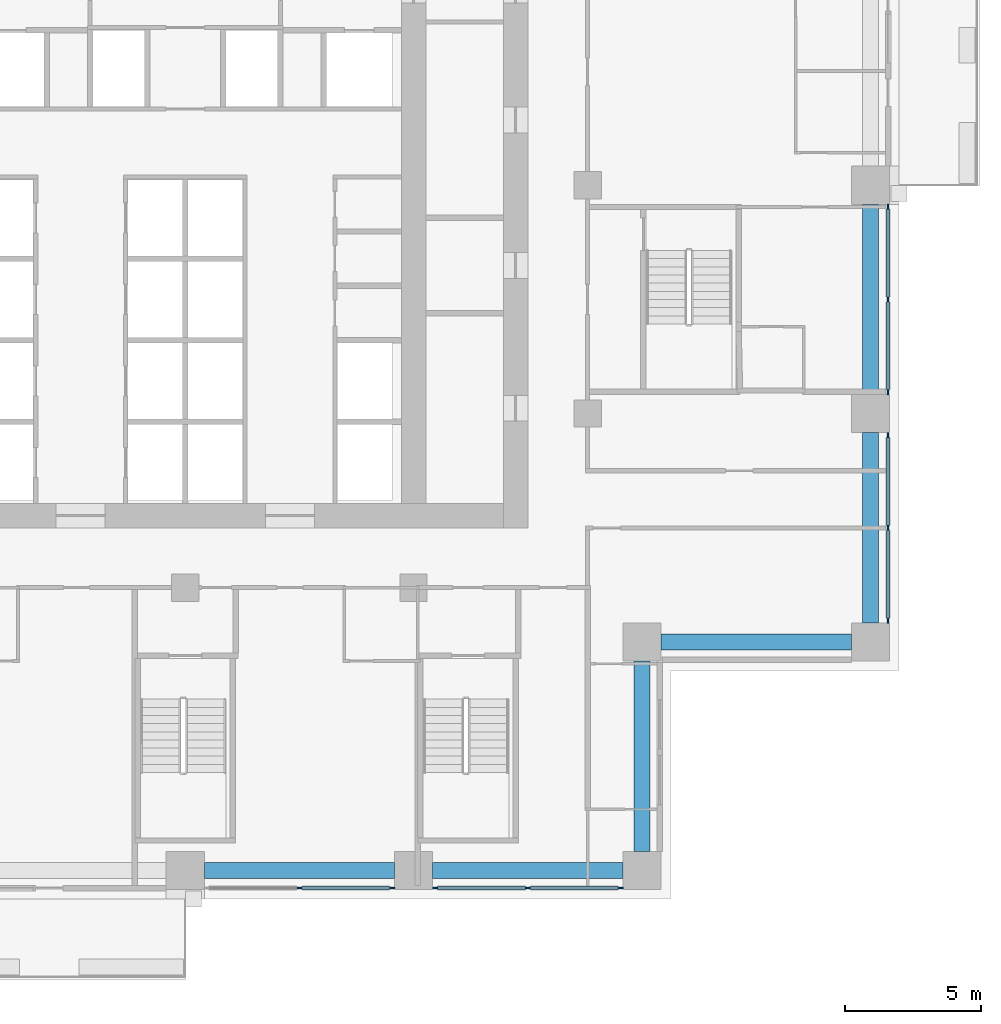
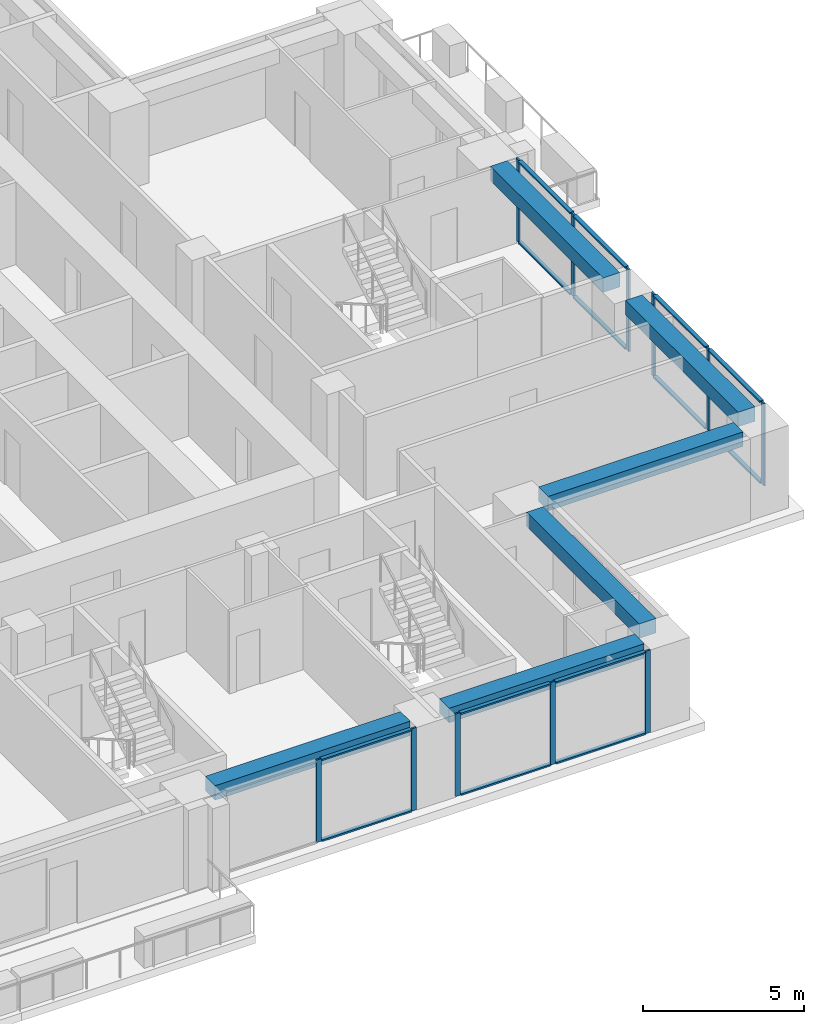
# One storey, part 4 of 16: 25 members, 6 beams, 4 elements without a shape of their own.
"""IFC4 building model written with IfcOpenShell, lengths in metres."""

from ifc_helpers import new_model, si_unit, direction, frame, origin, origin_2d, place, context, subcontext, project, spatial, rectangle, extrude, material, material_profile, profile_set, type_object, element, aggregate, save


model = new_model("IFC4")

# Units and contexts
model_context = context("Model", 3, precision=1e-05, world=origin(), true_north=direction((0.0, 1.0)))
body_context = subcontext(model_context, "Body", "Model", "MODEL_VIEW")
ifc_project = project(units=[si_unit("LENGTHUNIT", "METRE"), si_unit("AREAUNIT", "SQUARE_METRE"), si_unit("VOLUMEUNIT", "CUBIC_METRE"), si_unit("PLANEANGLEUNIT", "RADIAN"), si_unit("MASSUNIT", "GRAM", prefix="KILO")], contexts=[model_context])

# Site, building, storey
site_placement = place(None, origin())
site = spatial("IfcSite", under=ifc_project, at=site_placement, CompositionType="ELEMENT")
building_placement = place(site_placement, origin())
building = spatial("IfcBuilding", under=site, at=building_placement, Name="Vermilion Ogive Tower", CompositionType="ELEMENT")
storey_placement = place(building_placement, frame((0.0, 0.0, 41.39990234375)))
storey = spatial("IfcBuildingStorey", under=building, at=storey_placement, Name="L08", CompositionType="ELEMENT", Elevation=41.39990234375)

# Curtain wall, members
ifc_material_1 = material(Name="Low-iron laminated glazing in aluminium frame", Category="aluminium")
curtain_wall_type = type_object("IfcCurtainWallType", Name="Curtain wall CW7", PredefinedType="NOTDEFINED", material=ifc_material_1)
curtain_wall_1_placement = place(storey_placement, origin())
curtain_wall_1 = element("IfcCurtainWall", 1, at=curtain_wall_1_placement, inside=storey, type_object=curtain_wall_type, Name="Glazed skin S3", PredefinedType="NOTDEFINED")
ifc_material_2 = material(Name="Aluminium mullion", Category="aluminium")
ifc_material_profile_1 = material_profile(ifc_material_2, rectangle(XDim=0.06005859375, YDim=0.179931640625, at=origin_2d()), Name="AL 60x180")
ifc_profile_set_1 = profile_set([ifc_material_profile_1], Name="Aluminium mullion")
member_type_1 = type_object("IfcMemberType", Name="CW7 mullion 60x180", PredefinedType="MULLION", material=ifc_profile_set_1)
member_1_placement = place(storey_placement, frame((4.199951171875, -21.64990234375, 0.0), z_axis=(0.0, 0.0, 1.0), x_axis=(0.0, 1.0, 0.0)))
member_1 = element("IfcMember", 2, at=member_1_placement, type_object=member_type_1, Name="CW7-S3 mullion 2", PredefinedType="MULLION", context=body_context, shape_type="SweptSolid", body=[
    extrude(rectangle(XDim=0.06005859375, YDim=0.179931640625, at=origin_2d()), origin(), (0.0, 0.0, 1.0), 3.130126953125),
])
member_2_placement = place(storey_placement, frame((7.610107421875, -21.64990234375, 0.0), z_axis=(0.0, 0.0, 1.0), x_axis=(0.0, 1.0, 0.0)))
member_2 = element("IfcMember", 3, at=member_2_placement, type_object=member_type_1, Name="CW7-S3 mullion 3", PredefinedType="MULLION", context=body_context, shape_type="SweptSolid", body=[
    extrude(rectangle(XDim=0.06005859375, YDim=0.179931640625, at=origin_2d()), origin(), (0.0, 0.0, 1.0), 3.130126953125),
])

curtain_wall_2_placement = place(storey_placement, origin())
curtain_wall_2 = element("IfcCurtainWall", 4, at=curtain_wall_2_placement, inside=storey, type_object=curtain_wall_type, Name="Glazed skin S4", PredefinedType="NOTDEFINED")
member_3_placement = place(storey_placement, frame((9.18994140625, -21.64990234375, 0.0), z_axis=(0.0, 0.0, 1.0), x_axis=(0.0, 1.0, 0.0)))
member_3 = element("IfcMember", 5, at=member_3_placement, type_object=member_type_1, Name="CW7-S4 mullion 1", PredefinedType="MULLION", context=body_context, shape_type="SweptSolid", body=[
    extrude(rectangle(XDim=0.06005859375, YDim=0.179931640625, at=origin_2d()), origin(), (0.0, 0.0, 1.0), 3.130126953125),
])
member_4_placement = place(storey_placement, frame((12.60009765625, -21.64990234375, 0.0), z_axis=(0.0, 0.0, 1.0), x_axis=(0.0, 1.0, 0.0)))
member_4 = element("IfcMember", 6, at=member_4_placement, type_object=member_type_1, Name="CW7-S4 mullion 2", PredefinedType="MULLION", context=body_context, shape_type="SweptSolid", body=[
    extrude(rectangle(XDim=0.06005859375, YDim=0.179931640625, at=origin_2d()), origin(), (0.0, 0.0, 1.0), 3.130126953125),
])
member_5_placement = place(storey_placement, frame((16.010009765625, -21.64990234375, 0.0), z_axis=(0.0, 0.0, 1.0), x_axis=(0.0, 1.0, 0.0)))
member_5 = element("IfcMember", 7, at=member_5_placement, type_object=member_type_1, Name="CW7-S4 mullion 3", PredefinedType="MULLION", context=body_context, shape_type="SweptSolid", body=[
    extrude(rectangle(XDim=0.06005859375, YDim=0.179931640625, at=origin_2d()), origin(), (0.0, 0.0, 1.0), 3.130126953125),
])

curtain_wall_3_placement = place(storey_placement, origin())
curtain_wall_3 = element("IfcCurtainWall", 8, at=curtain_wall_3_placement, inside=storey, type_object=curtain_wall_type, Name="Glazed skin E1", PredefinedType="NOTDEFINED")
member_6_placement = place(storey_placement, frame((25.85009765625, -11.81005859375, 0.0), z_axis=(0.0, 0.0, 1.0), x_axis=(-1.0, 0.0, 0.0)))
member_6 = element("IfcMember", 9, at=member_6_placement, type_object=member_type_1, Name="CW7-E1 mullion 1", PredefinedType="MULLION", context=body_context, shape_type="SweptSolid", body=[
    extrude(rectangle(XDim=0.06005859375, YDim=0.179931640625, at=origin_2d()), origin(), (0.0, 0.0, 1.0), 3.130126953125),
])
member_7_placement = place(storey_placement, frame((25.85009765625, -8.39990234375, 0.0), z_axis=(0.0, 0.0, 1.0), x_axis=(-1.0, 0.0, 0.0)))
member_7 = element("IfcMember", 10, at=member_7_placement, type_object=member_type_1, Name="CW7-E1 mullion 2", PredefinedType="MULLION", context=body_context, shape_type="SweptSolid", body=[
    extrude(rectangle(XDim=0.06005859375, YDim=0.179931640625, at=origin_2d()), origin(), (0.0, 0.0, 1.0), 3.130126953125),
])
member_8_placement = place(storey_placement, frame((25.85009765625, -4.989990234375, 0.0), z_axis=(0.0, 0.0, 1.0), x_axis=(-1.0, 0.0, 0.0)))
member_8 = element("IfcMember", 11, at=member_8_placement, type_object=member_type_1, Name="CW7-E1 mullion 3", PredefinedType="MULLION", context=body_context, shape_type="SweptSolid", body=[
    extrude(rectangle(XDim=0.06005859375, YDim=0.179931640625, at=origin_2d()), origin(), (0.0, 0.0, 1.0), 3.130126953125),
])

curtain_wall_4_placement = place(storey_placement, origin())
curtain_wall_4 = element("IfcCurtainWall", 12, at=curtain_wall_4_placement, inside=storey, type_object=curtain_wall_type, Name="Glazed skin E2", PredefinedType="NOTDEFINED")
member_9_placement = place(storey_placement, frame((25.85009765625, -3.409912109375, 0.0), z_axis=(0.0, 0.0, 1.0), x_axis=(-1.0, 0.0, 0.0)))
member_9 = element("IfcMember", 13, at=member_9_placement, type_object=member_type_1, Name="CW7-E2 mullion 1", PredefinedType="MULLION", context=body_context, shape_type="SweptSolid", body=[
    extrude(rectangle(XDim=0.06005859375, YDim=0.179931640625, at=origin_2d()), origin(), (0.0, 0.0, 1.0), 3.130126953125),
])
member_10_placement = place(storey_placement, frame((25.85009765625, 0.0, 0.0), z_axis=(0.0, 0.0, 1.0), x_axis=(-1.0, 0.0, 0.0)))
member_10 = element("IfcMember", 14, at=member_10_placement, type_object=member_type_1, Name="CW7-E2 mullion 2", PredefinedType="MULLION", context=body_context, shape_type="SweptSolid", body=[
    extrude(rectangle(XDim=0.06005859375, YDim=0.179931640625, at=origin_2d()), origin(), (0.0, 0.0, 1.0), 3.130126953125),
])
member_11_placement = place(storey_placement, frame((25.85009765625, 3.409912109375, 0.0), z_axis=(0.0, 0.0, 1.0), x_axis=(-1.0, 0.0, 0.0)))
member_11 = element("IfcMember", 15, at=member_11_placement, type_object=member_type_1, Name="CW7-E2 mullion 3", PredefinedType="MULLION", context=body_context, shape_type="SweptSolid", body=[
    extrude(rectangle(XDim=0.06005859375, YDim=0.179931640625, at=origin_2d()), origin(), (0.0, 0.0, 1.0), 3.130126953125),
])

# Member
ifc_material_3 = material(Name="Aluminium transom", Category="aluminium")
ifc_material_profile_2 = material_profile(ifc_material_3, rectangle(XDim=0.139892578125, YDim=0.06005859375, at=origin_2d()), Name="AL 60x140")
ifc_profile_set_2 = profile_set([ifc_material_profile_2], Name="Aluminium transom")
member_type_2 = type_object("IfcMemberType", Name="CW7 transom 60x140", PredefinedType="USERDEFINED", material=ifc_profile_set_2)
member_12_placement = place(storey_placement, frame((4.2900390625, -21.64990234375, 0.030029296875), z_axis=(1.0, 0.0, 0.0), x_axis=(0.0, 1.0, 0.0)))
member_12 = element("IfcMember", 16, at=member_12_placement, type_object=member_type_2, Name="CW7-S3 transom 2.1", ObjectType="TRANSOM", PredefinedType="USERDEFINED", context=body_context, shape_type="SweptSolid", body=[
    extrude(rectangle(XDim=0.139892578125, YDim=0.06005859375, at=origin_2d()), origin(), (0.0, 0.0, 1.0), 3.22998046875),
])

member_13_placement = place(storey_placement, frame((4.2900390625, -21.64990234375, 3.10009765625), z_axis=(1.0, 0.0, 0.0), x_axis=(0.0, 1.0, 0.0)))
member_13 = element("IfcMember", 17, at=member_13_placement, type_object=member_type_2, Name="CW7-S3 transom 2.2", ObjectType="TRANSOM", PredefinedType="USERDEFINED", context=body_context, shape_type="SweptSolid", body=[
    extrude(rectangle(XDim=0.139892578125, YDim=0.06005859375, at=origin_2d()), origin(), (0.0, 0.0, 1.0), 3.22998046875),
])

aggregate(curtain_wall_1, [member_1, member_2, member_12, member_13])

member_14_placement = place(storey_placement, frame((9.280029296875, -21.64990234375, 0.030029296875), z_axis=(1.0, 0.0, 0.0), x_axis=(0.0, 1.0, 0.0)))
member_14 = element("IfcMember", 18, at=member_14_placement, type_object=member_type_2, Name="CW7-S4 transom 1.1", ObjectType="TRANSOM", PredefinedType="USERDEFINED", context=body_context, shape_type="SweptSolid", body=[
    extrude(rectangle(XDim=0.139892578125, YDim=0.06005859375, at=origin_2d()), origin(), (0.0, 0.0, 1.0), 3.22998046875),
])

member_15_placement = place(storey_placement, frame((9.280029296875, -21.64990234375, 3.10009765625), z_axis=(1.0, 0.0, 0.0), x_axis=(0.0, 1.0, 0.0)))
member_15 = element("IfcMember", 19, at=member_15_placement, type_object=member_type_2, Name="CW7-S4 transom 1.2", ObjectType="TRANSOM", PredefinedType="USERDEFINED", context=body_context, shape_type="SweptSolid", body=[
    extrude(rectangle(XDim=0.139892578125, YDim=0.06005859375, at=origin_2d()), origin(), (0.0, 0.0, 1.0), 3.22998046875),
])

member_16_placement = place(storey_placement, frame((12.68994140625, -21.64990234375, 0.030029296875), z_axis=(1.0, 0.0, 0.0), x_axis=(0.0, 1.0, 0.0)))
member_16 = element("IfcMember", 20, at=member_16_placement, type_object=member_type_2, Name="CW7-S4 transom 2.1", ObjectType="TRANSOM", PredefinedType="USERDEFINED", context=body_context, shape_type="SweptSolid", body=[
    extrude(rectangle(XDim=0.139892578125, YDim=0.06005859375, at=origin_2d()), origin(), (0.0, 0.0, 1.0), 3.22998046875),
])

member_17_placement = place(storey_placement, frame((12.68994140625, -21.64990234375, 3.10009765625), z_axis=(1.0, 0.0, 0.0), x_axis=(0.0, 1.0, 0.0)))
member_17 = element("IfcMember", 21, at=member_17_placement, type_object=member_type_2, Name="CW7-S4 transom 2.2", ObjectType="TRANSOM", PredefinedType="USERDEFINED", context=body_context, shape_type="SweptSolid", body=[
    extrude(rectangle(XDim=0.139892578125, YDim=0.06005859375, at=origin_2d()), origin(), (0.0, 0.0, 1.0), 3.22998046875),
])

aggregate(curtain_wall_2, [member_3, member_4, member_5, member_14, member_15, member_16, member_17])

member_18_placement = place(storey_placement, frame((25.85009765625, -11.719970703125, 0.030029296875), z_axis=(0.0, 1.0, 0.0), x_axis=(-1.0, 0.0, 0.0)))
member_18 = element("IfcMember", 22, at=member_18_placement, type_object=member_type_2, Name="CW7-E1 transom 1.1", ObjectType="TRANSOM", PredefinedType="USERDEFINED", context=body_context, shape_type="SweptSolid", body=[
    extrude(rectangle(XDim=0.139892578125, YDim=0.06005859375, at=origin_2d()), origin(), (0.0, 0.0, 1.0), 3.22998046875),
])

member_19_placement = place(storey_placement, frame((25.85009765625, -11.719970703125, 3.10009765625), z_axis=(0.0, 1.0, 0.0), x_axis=(-1.0, 0.0, 0.0)))
member_19 = element("IfcMember", 23, at=member_19_placement, type_object=member_type_2, Name="CW7-E1 transom 1.2", ObjectType="TRANSOM", PredefinedType="USERDEFINED", context=body_context, shape_type="SweptSolid", body=[
    extrude(rectangle(XDim=0.139892578125, YDim=0.06005859375, at=origin_2d()), origin(), (0.0, 0.0, 1.0), 3.22998046875),
])

member_20_placement = place(storey_placement, frame((25.85009765625, -8.31005859375, 0.030029296875), z_axis=(0.0, 1.0, 0.0), x_axis=(-1.0, 0.0, 0.0)))
member_20 = element("IfcMember", 24, at=member_20_placement, type_object=member_type_2, Name="CW7-E1 transom 2.1", ObjectType="TRANSOM", PredefinedType="USERDEFINED", context=body_context, shape_type="SweptSolid", body=[
    extrude(rectangle(XDim=0.139892578125, YDim=0.06005859375, at=origin_2d()), origin(), (0.0, 0.0, 1.0), 3.22998046875),
])

member_21_placement = place(storey_placement, frame((25.85009765625, -8.31005859375, 3.10009765625), z_axis=(0.0, 1.0, 0.0), x_axis=(-1.0, 0.0, 0.0)))
member_21 = element("IfcMember", 25, at=member_21_placement, type_object=member_type_2, Name="CW7-E1 transom 2.2", ObjectType="TRANSOM", PredefinedType="USERDEFINED", context=body_context, shape_type="SweptSolid", body=[
    extrude(rectangle(XDim=0.139892578125, YDim=0.06005859375, at=origin_2d()), origin(), (0.0, 0.0, 1.0), 3.22998046875),
])

aggregate(curtain_wall_3, [member_6, member_7, member_8, member_18, member_19, member_20, member_21])

member_22_placement = place(storey_placement, frame((25.85009765625, -3.320068359375, 0.030029296875), z_axis=(0.0, 1.0, 0.0), x_axis=(-1.0, 0.0, 0.0)))
member_22 = element("IfcMember", 26, at=member_22_placement, type_object=member_type_2, Name="CW7-E2 transom 1.1", ObjectType="TRANSOM", PredefinedType="USERDEFINED", context=body_context, shape_type="SweptSolid", body=[
    extrude(rectangle(XDim=0.139892578125, YDim=0.06005859375, at=origin_2d()), origin(), (0.0, 0.0, 1.0), 3.22998046875),
])

member_23_placement = place(storey_placement, frame((25.85009765625, -3.320068359375, 3.10009765625), z_axis=(0.0, 1.0, 0.0), x_axis=(-1.0, 0.0, 0.0)))
member_23 = element("IfcMember", 27, at=member_23_placement, type_object=member_type_2, Name="CW7-E2 transom 1.2", ObjectType="TRANSOM", PredefinedType="USERDEFINED", context=body_context, shape_type="SweptSolid", body=[
    extrude(rectangle(XDim=0.139892578125, YDim=0.06005859375, at=origin_2d()), origin(), (0.0, 0.0, 1.0), 3.22998046875),
])

member_24_placement = place(storey_placement, frame((25.85009765625, 0.090087890625, 0.030029296875), z_axis=(0.0, 1.0, 0.0), x_axis=(-1.0, 0.0, 0.0)))
member_24 = element("IfcMember", 28, at=member_24_placement, type_object=member_type_2, Name="CW7-E2 transom 2.1", ObjectType="TRANSOM", PredefinedType="USERDEFINED", context=body_context, shape_type="SweptSolid", body=[
    extrude(rectangle(XDim=0.139892578125, YDim=0.06005859375, at=origin_2d()), origin(), (0.0, 0.0, 1.0), 3.22998046875),
])

member_25_placement = place(storey_placement, frame((25.85009765625, 0.090087890625, 3.10009765625), z_axis=(0.0, 1.0, 0.0), x_axis=(-1.0, 0.0, 0.0)))
member_25 = element("IfcMember", 29, at=member_25_placement, type_object=member_type_2, Name="CW7-E2 transom 2.2", ObjectType="TRANSOM", PredefinedType="USERDEFINED", context=body_context, shape_type="SweptSolid", body=[
    extrude(rectangle(XDim=0.139892578125, YDim=0.06005859375, at=origin_2d()), origin(), (0.0, 0.0, 1.0), 3.22998046875),
])

aggregate(curtain_wall_4, [member_9, member_10, member_11, member_22, member_23, member_24, member_25])

# Beams
ifc_material_4 = material(Name="Concrete B45", Category="concrete")
ifc_material_profile_3 = material_profile(ifc_material_4, rectangle(XDim=0.60009765625, YDim=0.550048828125, at=origin_2d()), Name="600 x 550")
ifc_profile_set_3 = profile_set([ifc_material_profile_3], Name="Concrete B45")
beam_type = type_object("IfcBeamType", Name="Edge beam 600 x 550 B45", PredefinedType="BEAM", material=ifc_profile_set_3)
for number, where, z_axis, x_axis, name in (
    (30, (0.699951171875, -21.0, 2.85498046875), (1.0, 0.0, 0.0), (0.0, 1.0, 0.0), "L08-EB-3"),
    (31, (9.10009765625, -21.0, 2.85498046875), (1.0, 0.0, 0.0), (0.0, 1.0, 0.0), "L08-EB-4"),
    (32, (16.800048828125, -20.300048828125, 2.85498046875), (0.0, 1.0, 0.0), (-1.0, 0.0, 0.0), "L08-EB-5"),
    (33, (17.5, -12.60009765625, 2.85498046875), (1.0, 0.0, 0.0), (0.0, 1.0, 0.0), "L08-EB-6"),
    (34, (25.199951171875, -11.89990234375, 2.85498046875), (0.0, 1.0, 0.0), (-1.0, 0.0, 0.0), "L08-EB-7"),
    (35, (25.199951171875, -3.5, 2.85498046875), (0.0, 1.0, 0.0), (-1.0, 0.0, 0.0), "L08-EB-8"),
):
    element("IfcBeam", number, at=place(storey_placement, frame(where, z_axis=z_axis, x_axis=x_axis)), inside=storey, type_object=beam_type, Name=name, PredefinedType="BEAM", context=body_context, shape_type="SweptSolid", body=[
        extrude(rectangle(XDim=0.60009765625, YDim=0.550048828125, at=origin_2d()), origin(), (0.0, 0.0, 1.0), 7.0),
    ])

save(model, "model.ifc")
